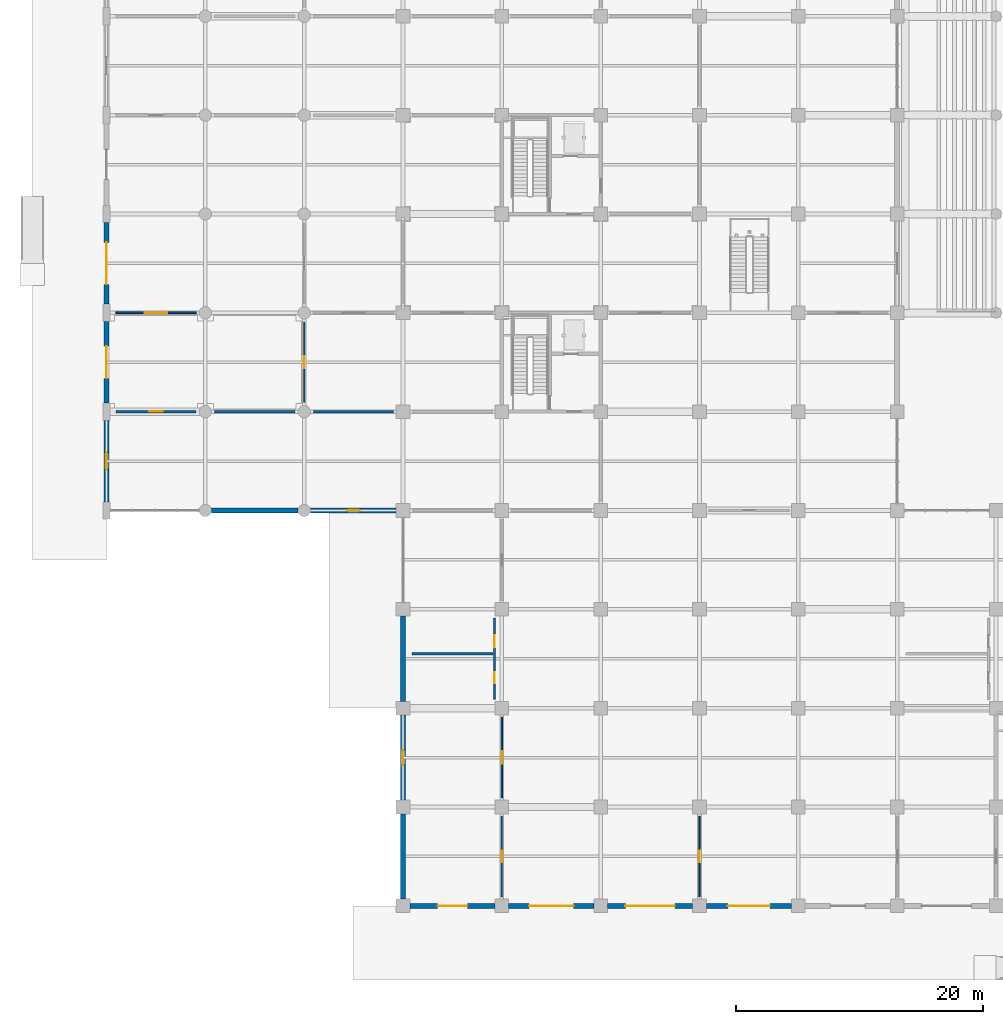
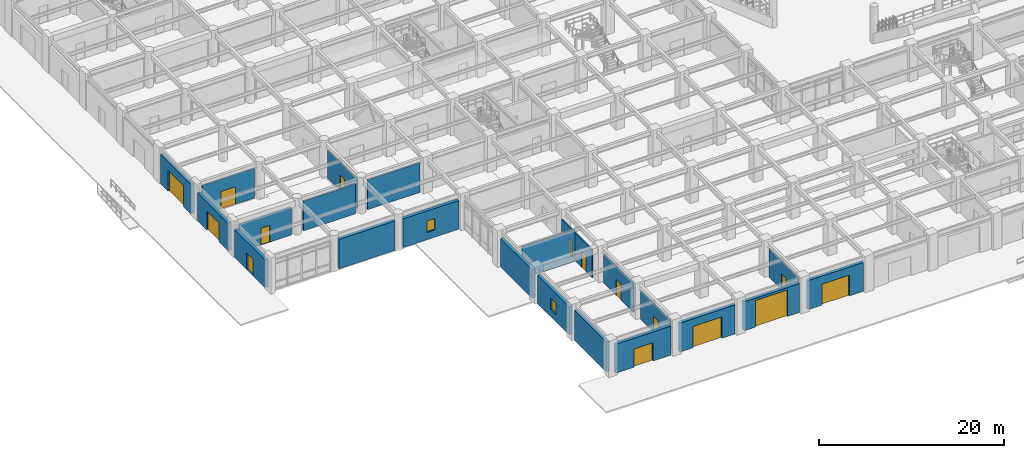
# One storey, part 73 of 125: 22 walls, 15 doors, 2 windows, 17 openings.
"""IFC4 building model written with IfcOpenShell, lengths in metres."""

import ifcopenshell
import ifcopenshell.guid

model = None  # the IFC model being written
_history = None  # IfcOwnerHistory: only IFC2X3 demands one
_inside = {}  # id of a spatial element -> (the spatial element, [elements in it])
_under = {}  # id of a project, library or spatial element -> (it, [spatial elements below it])
_declared = {}  # id of a project -> (the project, [libraries it declares])
_typed = {}  # id of a type object -> (the type object, [elements of that type])
_made_of = {}  # id of a material, layer set ... -> (it, [elements and type objects made of it])


def new_model(schema):
    """Start an empty IFC model of exactly this schema.

    Asked for "IFC4X3", IfcOpenShell would pick the latest addendum, in which some entities
    have other attributes; the version numbers below select the first issue.
    IFC2X3 requires an IfcOwnerHistory on every rooted entity: one is made here for all.
    """
    global model, _history
    if schema == "IFC4X3":
        model = ifcopenshell.file(schema_version=(4, 3, 0, 0))
    else:
        model = ifcopenshell.file(schema=schema)
    _inside.clear()
    _under.clear()
    _declared.clear()
    _typed.clear()
    _made_of.clear()
    _history = None
    if model.schema == "IFC2X3":
        org = make("IfcOrganization", Name="unknown")
        user = make(
            "IfcPersonAndOrganization",
            ThePerson=make("IfcPerson", FamilyName="unknown"),
            TheOrganization=org,
        )
        app = make(
            "IfcApplication",
            ApplicationDeveloper=org,
            Version="unknown",
            ApplicationFullName="unknown",
            ApplicationIdentifier="unknown",
        )
        _history = make(
            "IfcOwnerHistory",
            OwningUser=user,
            OwningApplication=app,
            ChangeAction="ADDED",
            CreationDate=0,
        )
    return model


def make(cls, **values):
    """One entity of the class cls with the attributes given. An attribute that is None is left unset."""
    return model.create_entity(
        cls, **{name: value for name, value in values.items() if value is not None}
    )


def rooted(cls, **values):
    """An entity with a GlobalId (a new one), such as an element, a storey or a relation."""
    return make(cls, GlobalId=ifcopenshell.guid.new(), OwnerHistory=_history, **values)


def si_unit(unit_type, name, prefix=None):
    """IfcSIUnit, for example si_unit("LENGTHUNIT", "METRE", prefix="MILLI")."""
    return make("IfcSIUnit", UnitType=unit_type, Prefix=prefix, Name=name)


def assignment(units):
    """IfcUnitAssignment: the units of a project."""
    return None if units is None else make("IfcUnitAssignment", Units=units)


def point(xyz):
    """IfcCartesianPoint."""
    return None if xyz is None else make("IfcCartesianPoint", Coordinates=xyz)


def direction(xyz):
    """IfcDirection."""
    return None if xyz is None else make("IfcDirection", DirectionRatios=xyz)


def frame(location, z_axis=None, x_axis=None):
    """IfcAxis2Placement3D, a coordinate frame: its origin and axes. An axis left out is left unset."""
    return make(
        "IfcAxis2Placement3D",
        Location=point(location),
        Axis=direction(z_axis),
        RefDirection=direction(x_axis),
    )


def frame_2d(location, x_axis=None):
    """IfcAxis2Placement2D, a coordinate frame in the plane: its origin and x axis."""
    return make(
        "IfcAxis2Placement2D", Location=point(location), RefDirection=direction(x_axis)
    )


def origin():
    """The frame at (0, 0, 0) with its axes left unset."""
    return frame((0.0, 0.0, 0.0))


def place(relative_to, where):
    """IfcLocalPlacement: puts the frame where relative to a parent placement (None: the world)."""
    return make(
        "IfcLocalPlacement", PlacementRelTo=relative_to, RelativePlacement=where
    )


def context(
    kind, dimensions, precision=None, world=None, true_north=None, identifier=None
):
    """IfcGeometricRepresentationContext, for example the 3D "Model" context."""
    return make(
        "IfcGeometricRepresentationContext",
        ContextIdentifier=identifier,
        ContextType=kind,
        CoordinateSpaceDimension=dimensions,
        Precision=precision,
        WorldCoordinateSystem=world,
        TrueNorth=true_north,
    )


def subcontext(parent, identifier, kind, view, scale=None):
    """IfcGeometricRepresentationSubContext, for example "Body" below "Model"."""
    return make(
        "IfcGeometricRepresentationSubContext",
        ContextIdentifier=identifier,
        ContextType=kind,
        ParentContext=parent,
        TargetScale=scale,
        TargetView=view,
    )


def project(units=None, contexts=None):
    """IfcProject with its units and contexts."""
    return rooted(
        "IfcProject",
        Name="project",
        RepresentationContexts=contexts,
        UnitsInContext=assignment(units),
    )


def spatial(cls, under=None, at=None, **own):
    """A site, building, storey or space (cls), placed at a placement, below another one or the project."""
    s = rooted(cls, ObjectPlacement=at, **own)
    if under is not None:
        _under.setdefault(under.id(), (under, []))[1].append(s)
    return s


def profile(cls, at=None, kind="AREA", **sizes):
    """A parametric profile (cls). Its sizes go by their IFC names, for example OverallWidth=200.0."""
    return make(cls, ProfileType=kind, Position=at, **sizes)


def rectangle(**sizes):
    """IfcRectangleProfileDef."""
    return profile("IfcRectangleProfileDef", **sizes)


def extrude(swept, where, along, depth):
    """IfcExtrudedAreaSolid: the profile swept, set in the frame where, extruded along a direction by depth."""
    return make(
        "IfcExtrudedAreaSolid",
        SweptArea=swept,
        Position=where,
        ExtrudedDirection=direction(along),
        Depth=depth,
    )


def shape(context_of_items, identifier, shape_type, items):
    """IfcShapeRepresentation: the items that make up one representation, for example the "Body"."""
    return make(
        "IfcShapeRepresentation",
        ContextOfItems=context_of_items,
        RepresentationIdentifier=identifier,
        RepresentationType=shape_type,
        Items=items,
    )


def material(Name=None, Category=None):
    """IfcMaterial."""
    return make("IfcMaterial", Name=Name, Category=Category)


def layer(
    of_material, thickness, ventilated=None, Name=None, Category=None, Priority=None
):
    """IfcMaterialLayer: one layer of a wall or slab, of a material (None: an air gap)."""
    return make(
        "IfcMaterialLayer",
        Material=of_material,
        LayerThickness=thickness,
        IsVentilated=ventilated,
        Name=Name,
        Category=Category,
        Priority=Priority,
    )


def layer_set(layers, Name=None):
    """IfcMaterialLayerSet."""
    return make("IfcMaterialLayerSet", MaterialLayers=layers, LayerSetName=Name)


def made_of(thing, what):
    """Note that an element or type object is made of a material, layer set ...; save() writes the relation."""
    if what is not None:
        _made_of.setdefault(what.id(), (what, []))[1].append(thing)
    return thing


def type_object(cls, material=None, **own):
    """A type object (cls), such as IfcWallType, which elements share."""
    return made_of(rooted(cls, **own), material)


def element(
    cls,
    number,
    at=None,
    inside=None,
    cuts=None,
    type_object=None,
    material=None,
    context=None,
    identifier="Body",
    shape_type=None,
    held_by="IfcProductDefinitionShape",
    body=None,
    shapes=None,
    **own,
):
    """One element of the class cls, such as IfcWall. Its Tag is "e" and its number.

    at: its placement. inside: the storey or other place that contains it. cuts: it is an
    opening in that element (IfcRelVoidsElement). A single representation is given by context,
    identifier, shape_type and body (its items); several are given by shapes. held_by: the class
    of the entity that holds the representations. save() writes the other relations.
    """
    e = rooted(cls, Tag="e%d" % number, ObjectPlacement=at, **own)
    if body is not None:
        shapes = [shape(context, identifier, shape_type, body)]
    if shapes is not None:
        e.Representation = make(held_by, Representations=shapes)
    if inside is not None:
        _inside.setdefault(inside.id(), (inside, []))[1].append(e)
    if cuts is not None:
        rooted(
            "IfcRelVoidsElement", RelatingBuildingElement=cuts, RelatedOpeningElement=e
        )
    if type_object is not None:
        _typed.setdefault(type_object.id(), (type_object, []))[1].append(e)
    return made_of(e, material)


def fill(opening, filler):
    """IfcRelFillsElement: the door or window that sits in an opening."""
    return rooted(
        "IfcRelFillsElement",
        RelatingOpeningElement=opening,
        RelatedBuildingElement=filler,
    )


def aggregate(whole, parts):
    """IfcRelAggregates: a whole, such as a stair, and the parts it consists of."""
    return rooted("IfcRelAggregates", RelatingObject=whole, RelatedObjects=parts)


def save(model, path):
    """Write the relations noted so far, then the file.

    IfcRelAggregates (storeys below a building ...), IfcRelContainedInSpatialStructure (elements
    in a storey), IfcRelDefinesByType, IfcRelAssociatesMaterial and IfcRelDeclares: one each for
    every whole, place, type object, material and project.
    """
    for whole, parts in _under.values():
        aggregate(whole, parts)
    for where, things in _inside.values():
        rooted(
            "IfcRelContainedInSpatialStructure",
            RelatedElements=things,
            RelatingStructure=where,
        )
    for kind, things in _typed.values():
        rooted("IfcRelDefinesByType", RelatedObjects=things, RelatingType=kind)
    for what, things in _made_of.values():
        rooted("IfcRelAssociatesMaterial", RelatedObjects=things, RelatingMaterial=what)
    for by, libraries in _declared.values():
        rooted("IfcRelDeclares", RelatingContext=by, RelatedDefinitions=libraries)
    model.write(path)


model = new_model("IFC4")

# Units and contexts
model_context = context("Model", 3, precision=1e-05, world=origin(), true_north=direction((0.0, 1.0)))
body_context = subcontext(model_context, "Body", "Model", "MODEL_VIEW")
ifc_project = project(units=[si_unit("LENGTHUNIT", "METRE"), si_unit("AREAUNIT", "SQUARE_METRE"), si_unit("VOLUMEUNIT", "CUBIC_METRE"), si_unit("PLANEANGLEUNIT", "RADIAN"), si_unit("MASSUNIT", "GRAM", prefix="KILO")], contexts=[model_context])

# Site, building, storey
site_placement = place(None, origin())
site = spatial("IfcSite", under=ifc_project, at=site_placement, CompositionType="ELEMENT")
building_placement = place(site_placement, origin())
building = spatial("IfcBuilding", under=site, at=building_placement, Name="Haebicheon Civic Stadium", CompositionType="ELEMENT")
storey_placement = place(building_placement, origin())
storey = spatial("IfcBuildingStorey", under=building, at=storey_placement, Name="L01", CompositionType="ELEMENT", Elevation=0.0)

# Wall, opening, door
ifc_material_1 = material(Name="Concrete C40/50", Category="concrete")
ifc_layer_1 = layer(ifc_material_1, 0.39990234375, Name="Concrete C40/50")
ifc_layer_set_1 = layer_set([ifc_layer_1], Name="Concrete C40/50")
wall_type_1 = type_object("IfcWallType", Name="EW-BM-400", PredefinedType="SOLIDWALL", material=ifc_layer_set_1)
wall_1_placement = place(storey_placement, frame((0.0, 32.699951171875, 0.0), z_axis=(0.0, 0.0, 1.0), x_axis=(0.0, 1.0, 0.0)))
wall_1 = element("IfcWall", 1, at=wall_1_placement, inside=storey, type_object=wall_type_1, material=ifc_layer_set_1, Name="L01 board-marked concrete facade wall 00-04-W", PredefinedType="SOLIDWALL", context=body_context, shape_type="SweptSolid", body=[
    extrude(rectangle(XDim=6.60009765625, YDim=0.39990234375, at=frame_2d((3.300048828125, 0.0))), origin(), (0.0, 0.0, 1.0), 3.659912109375),
])
opening_1_placement = place(wall_1_placement, frame((2.60009765625, 0.0, 0.0)))
opening_1 = element("IfcOpeningElement", 2, at=opening_1_placement, cuts=wall_1, Name="Opening DX01", PredefinedType="OPENING", context=body_context, shape_type="SweptSolid", body=[
    extrude(rectangle(XDim=1.39990234375, YDim=2.199951171875, at=frame_2d((0.699951171875, 1.10009765625))), frame((0.0, 0.2099609375, 0.0), z_axis=(0.0, -1.0, 0.0), x_axis=(1.0, 0.0, 0.0)), (0.0, 0.0, 1.0), 0.419921875),
])
ifc_material_2 = material(Name="Galvanised painted steel SM355", Category="steel")
door_type_1 = type_object("IfcDoorType", Name="ED-EXIT-1400", OperationType="NOTDEFINED", PredefinedType="DOOR", material=ifc_material_2)
door_1_placement = place(opening_1_placement, origin())
door_1 = element("IfcDoor", 3, at=door_1_placement, inside=storey, type_object=door_type_1, material=ifc_material_2, Name="Protected exit passage final exit door DX01", OperationType="SINGLE_SWING_LEFT", OverallHeight=2.199951171875, OverallWidth=1.39990234375, PredefinedType="DOOR", context=body_context, shape_type="SweptSolid", body=[
    extrude(rectangle(XDim=1.39990234375, YDim=2.199951171875, at=frame_2d((0.699951171875, 1.10009765625))), frame((0.0, 0.02490234375, 0.0), z_axis=(0.0, -1.0, 0.0), x_axis=(1.0, 0.0, 0.0)), (0.0, 0.0, 1.0), 0.050048828125),
])
fill(opening_1, door_1)

wall_2_placement = place(storey_placement, frame((0.0, 40.699951171875, 0.0), z_axis=(0.0, 0.0, 1.0), x_axis=(0.0, 1.0, 0.0)))
wall_2 = element("IfcWall", 4, at=wall_2_placement, inside=storey, type_object=wall_type_1, material=ifc_layer_set_1, Name="L01 board-marked concrete facade wall 00-05-W", PredefinedType="SOLIDWALL", context=body_context, shape_type="SweptSolid", body=[
    extrude(rectangle(XDim=6.60009765625, YDim=0.39990234375, at=frame_2d((3.300048828125, 0.0))), origin(), (0.0, 0.0, 1.0), 3.659912109375),
])
opening_2_placement = place(wall_2_placement, frame((2.0, 0.0, 0.0)))
opening_2 = element("IfcOpeningElement", 5, at=opening_2_placement, cuts=wall_2, Name="Opening G01", PredefinedType="OPENING", context=body_context, shape_type="SweptSolid", body=[
    extrude(rectangle(XDim=2.60009765625, YDim=2.5, at=frame_2d((1.300048828125, 1.25))), frame((0.0, 0.2099609375, 0.0), z_axis=(0.0, -1.0, 0.0), x_axis=(1.0, 0.0, 0.0)), (0.0, 0.0, 1.0), 0.419921875),
])
ifc_material_3 = material(Name="Anodised aluminium 6063-T6", Category="aluminium")
door_type_2 = type_object("IfcDoorType", Name="ED-GATE-2600", OperationType="NOTDEFINED", PredefinedType="DOOR", material=ifc_material_3)
door_2_placement = place(opening_2_placement, origin())
door_2 = element("IfcDoor", 6, at=door_2_placement, inside=storey, type_object=door_type_2, material=ifc_material_3, Name="Pedestrian exit gate G1", OperationType="DOUBLE_SWING_LEFT", OverallHeight=2.5, OverallWidth=2.60009765625, PredefinedType="DOOR", context=body_context, shape_type="SweptSolid", body=[
    extrude(rectangle(XDim=2.60009765625, YDim=2.5, at=frame_2d((1.300048828125, 1.25))), frame((0.0, 0.02490234375, 0.0), z_axis=(0.0, -1.0, 0.0), x_axis=(1.0, 0.0, 0.0)), (0.0, 0.0, 1.0), 0.050048828125),
])
fill(opening_2, door_2)

wall_3_placement = place(storey_placement, frame((0.0, 48.699951171875, 0.0), z_axis=(0.0, 0.0, 1.0), x_axis=(0.0, 1.0, 0.0)))
wall_3 = element("IfcWall", 7, at=wall_3_placement, inside=storey, type_object=wall_type_1, material=ifc_layer_set_1, Name="L01 board-marked concrete facade wall 00-06-W", PredefinedType="SOLIDWALL", context=body_context, shape_type="SweptSolid", body=[
    extrude(rectangle(XDim=6.60009765625, YDim=0.39990234375, at=frame_2d((3.300048828125, 0.0))), origin(), (0.0, 0.0, 1.0), 3.909912109375),
])
opening_3_placement = place(wall_3_placement, frame((1.60009765625, 0.0, 0.0)))
opening_3 = element("IfcOpeningElement", 8, at=opening_3_placement, cuts=wall_3, Name="Opening E01", PredefinedType="OPENING", context=body_context, shape_type="SweptSolid", body=[
    extrude(rectangle(XDim=3.39990234375, YDim=2.75, at=frame_2d((1.699951171875, 1.375))), frame((0.0, 0.2099609375, 0.0), z_axis=(0.0, -1.0, 0.0), x_axis=(1.0, 0.0, 0.0)), (0.0, 0.0, 1.0), 0.419921875),
])
ifc_material_4 = material(Name="Anodised aluminium and laminated glass", Category="aluminium")
door_type_3 = type_object("IfcDoorType", Name="ED-MAIN-3400", OperationType="NOTDEFINED", PredefinedType="DOOR", material=ifc_material_4)
door_3_placement = place(opening_3_placement, origin())
door_3 = element("IfcDoor", 9, at=door_3_placement, inside=storey, type_object=door_type_3, material=ifc_material_4, Name="Main entrance E1", OperationType="DOUBLE_SWING_LEFT", OverallHeight=2.75, OverallWidth=3.39990234375, PredefinedType="DOOR", context=body_context, shape_type="SweptSolid", body=[
    extrude(rectangle(XDim=3.39990234375, YDim=2.75, at=frame_2d((1.699951171875, 1.375))), frame((0.0, 0.02490234375, 0.0), z_axis=(0.0, -1.0, 0.0), x_axis=(1.0, 0.0, 0.0)), (0.0, 0.0, 1.0), 0.050048828125),
])
fill(opening_3, door_3)

# Wall
wall_4_placement = place(storey_placement, frame((8.5, 32.0, 0.0), z_axis=(0.0, 0.0, 1.0), x_axis=(1.0, 0.0, 0.0)))
element("IfcWall", 10, at=wall_4_placement, inside=storey, type_object=wall_type_1, material=ifc_layer_set_1, Name="L01 board-marked concrete facade wall 01-04-S", PredefinedType="SOLIDWALL", context=body_context, shape_type="SweptSolid", body=[
    extrude(rectangle(XDim=7.0, YDim=0.39990234375, at=frame_2d((3.5, 0.0))), origin(), (0.0, 0.0, 1.0), 3.8701171875),
])

# Wall, opening, window
wall_5_placement = place(storey_placement, frame((16.5, 32.0, 0.0), z_axis=(0.0, 0.0, 1.0), x_axis=(1.0, 0.0, 0.0)))
wall_5 = element("IfcWall", 11, at=wall_5_placement, inside=storey, type_object=wall_type_1, material=ifc_layer_set_1, Name="L01 board-marked concrete facade wall 02-04-S", PredefinedType="SOLIDWALL", context=body_context, shape_type="SweptSolid", body=[
    extrude(rectangle(XDim=6.949951171875, YDim=0.39990234375, at=frame_2d((3.47509765625, 0.0))), origin(), (0.0, 0.0, 1.0), 3.77001953125),
])
opening_4_placement = place(wall_5_placement, frame((2.949951171875, 0.0, 0.949951171875)))
opening_4 = element("IfcOpeningElement", 12, at=opening_4_placement, cuts=wall_5, Name="Opening WIN-105x150", PredefinedType="OPENING", context=body_context, shape_type="SweptSolid", body=[
    extrude(rectangle(XDim=1.050048828125, YDim=1.5, at=frame_2d((0.52490234375, 0.75))), frame((0.0, 0.2099609375, 0.0), z_axis=(0.0, -1.0, 0.0), x_axis=(1.0, 0.0, 0.0)), (0.0, 0.0, 1.0), 0.419921875),
])
ifc_material_5 = material(Name="Anodised aluminium and laminated glass", Category="aluminium")
window_type_1 = type_object("IfcWindowType", Name="WIN-105x150", PartitioningType="SINGLE_PANEL", PredefinedType="WINDOW", material=ifc_material_5)
window_1_placement = place(opening_4_placement, origin())
window_1 = element("IfcWindow", 13, at=window_1_placement, inside=storey, type_object=window_type_1, material=ifc_material_5, Name="L01 facade window 002", OverallHeight=1.5, OverallWidth=1.050048828125, PartitioningType="SINGLE_PANEL", PredefinedType="WINDOW", context=body_context, shape_type="SweptSolid", body=[
    extrude(rectangle(XDim=1.050048828125, YDim=1.5, at=frame_2d((0.52490234375, 0.75))), frame((0.0, 0.030029296875, 0.0), z_axis=(0.0, -1.0, 0.0), x_axis=(1.0, 0.0, 0.0)), (0.0, 0.0, 1.0), 0.06005859375),
])
fill(opening_4, window_1)

# Wall, opening, door
wall_6_placement = place(storey_placement, frame((24.550048828125, 0.0, 0.0), z_axis=(0.0, 0.0, 1.0), x_axis=(1.0, 0.0, 0.0)))
wall_6 = element("IfcWall", 14, at=wall_6_placement, inside=storey, type_object=wall_type_1, material=ifc_layer_set_1, Name="L01 board-marked concrete facade wall 03-00-S", PredefinedType="SOLIDWALL", context=body_context, shape_type="SweptSolid", body=[
    extrude(rectangle(XDim=6.89990234375, YDim=0.39990234375, at=frame_2d((3.449951171875, 0.0))), origin(), (0.0, 0.0, 1.0), 3.81005859375),
])
opening_5_placement = place(wall_6_placement, frame((2.25, 0.0, 0.0)))
opening_5 = element("IfcOpeningElement", 15, at=opening_5_placement, cuts=wall_6, Name="Opening G05", PredefinedType="OPENING", context=body_context, shape_type="SweptSolid", body=[
    extrude(rectangle(XDim=2.39990234375, YDim=2.39990234375, at=frame_2d((1.199951171875, 1.199951171875))), frame((0.0, 0.2099609375, 0.0), z_axis=(0.0, -1.0, 0.0), x_axis=(1.0, 0.0, 0.0)), (0.0, 0.0, 1.0), 0.419921875),
])
ifc_material_6 = material(Name="Anodised aluminium 6063-T6", Category="aluminium")
door_type_4 = type_object("IfcDoorType", Name="ED-GATE-2400", OperationType="NOTDEFINED", PredefinedType="DOOR", material=ifc_material_6)
door_4_placement = place(opening_5_placement, origin())
door_4 = element("IfcDoor", 16, at=door_4_placement, inside=storey, type_object=door_type_4, material=ifc_material_6, Name="Pedestrian exit gate G5", OperationType="DOUBLE_SWING_LEFT", OverallHeight=2.39990234375, OverallWidth=2.39990234375, PredefinedType="DOOR", context=body_context, shape_type="SweptSolid", body=[
    extrude(rectangle(XDim=2.39990234375, YDim=2.39990234375, at=frame_2d((1.199951171875, 1.199951171875))), frame((0.0, 0.02490234375, 0.0), z_axis=(0.0, -1.0, 0.0), x_axis=(1.0, 0.0, 0.0)), (0.0, 0.0, 1.0), 0.050048828125),
])
fill(opening_5, door_4)

# Wall
wall_7_placement = place(storey_placement, frame((24.0, 0.550048828125, 0.0), z_axis=(0.0, 0.0, 1.0), x_axis=(0.0, 1.0, 0.0)))
element("IfcWall", 17, at=wall_7_placement, inside=storey, type_object=wall_type_1, material=ifc_layer_set_1, Name="L01 board-marked concrete facade wall 03-00-W", PredefinedType="SOLIDWALL", context=body_context, shape_type="SweptSolid", body=[
    extrude(rectangle(XDim=6.89990234375, YDim=0.39990234375, at=frame_2d((3.449951171875, 0.0))), origin(), (0.0, 0.0, 1.0), 3.949951171875),
])

# Wall, opening, window
wall_8_placement = place(storey_placement, frame((24.0, 8.550048828125, 0.0), z_axis=(0.0, 0.0, 1.0), x_axis=(0.0, 1.0, 0.0)))
wall_8 = element("IfcWall", 18, at=wall_8_placement, inside=storey, type_object=wall_type_1, material=ifc_layer_set_1, Name="L01 board-marked concrete facade wall 03-01-W", PredefinedType="SOLIDWALL", context=body_context, shape_type="SweptSolid", body=[
    extrude(rectangle(XDim=6.89990234375, YDim=0.39990234375, at=frame_2d((3.449951171875, 0.0))), origin(), (0.0, 0.0, 1.0), 3.719970703125),
])
opening_6_placement = place(wall_8_placement, frame((2.85009765625, 0.0, 0.949951171875)))
opening_6 = element("IfcOpeningElement", 19, at=opening_6_placement, cuts=wall_8, Name="Opening WIN-120x150", PredefinedType="OPENING", context=body_context, shape_type="SweptSolid", body=[
    extrude(rectangle(XDim=1.199951171875, YDim=1.5, at=frame_2d((0.60009765625, 0.75))), frame((0.0, 0.2099609375, 0.0), z_axis=(0.0, -1.0, 0.0), x_axis=(1.0, 0.0, 0.0)), (0.0, 0.0, 1.0), 0.419921875),
])
ifc_material_7 = material(Name="Anodised aluminium and laminated glass", Category="aluminium")
window_type_2 = type_object("IfcWindowType", Name="WIN-120x150", PartitioningType="SINGLE_PANEL", PredefinedType="WINDOW", material=ifc_material_7)
window_2_placement = place(opening_6_placement, origin())
window_2 = element("IfcWindow", 20, at=window_2_placement, inside=storey, type_object=window_type_2, material=ifc_material_7, Name="L01 facade window 003", OverallHeight=1.5, OverallWidth=1.199951171875, PartitioningType="SINGLE_PANEL", PredefinedType="WINDOW", context=body_context, shape_type="SweptSolid", body=[
    extrude(rectangle(XDim=1.199951171875, YDim=1.5, at=frame_2d((0.60009765625, 0.75))), frame((0.0, 0.030029296875, 0.0), z_axis=(0.0, -1.0, 0.0), x_axis=(1.0, 0.0, 0.0)), (0.0, 0.0, 1.0), 0.06005859375),
])
fill(opening_6, window_2)

# Wall
wall_9_placement = place(storey_placement, frame((24.0, 16.550048828125, 0.0), z_axis=(0.0, 0.0, 1.0), x_axis=(0.0, 1.0, 0.0)))
element("IfcWall", 21, at=wall_9_placement, inside=storey, type_object=wall_type_1, material=ifc_layer_set_1, Name="L01 board-marked concrete facade wall 03-02-W", PredefinedType="SOLIDWALL", context=body_context, shape_type="SweptSolid", body=[
    extrude(rectangle(XDim=6.89990234375, YDim=0.39990234375, at=frame_2d((3.449951171875, 0.0))), origin(), (0.0, 0.0, 1.0), 3.719970703125),
])

# Wall, opening, door
wall_10_placement = place(storey_placement, frame((32.550048828125, 0.0, 0.0), z_axis=(0.0, 0.0, 1.0), x_axis=(1.0, 0.0, 0.0)))
wall_10 = element("IfcWall", 22, at=wall_10_placement, inside=storey, type_object=wall_type_1, material=ifc_layer_set_1, Name="L01 board-marked concrete facade wall 04-00-S", PredefinedType="SOLIDWALL", context=body_context, shape_type="SweptSolid", body=[
    extrude(rectangle(XDim=6.89990234375, YDim=0.39990234375, at=frame_2d((3.449951171875, 0.0))), origin(), (0.0, 0.0, 1.0), 3.81005859375),
])
opening_7_placement = place(wall_10_placement, frame((1.64990234375, 0.0, 0.0)))
opening_7 = element("IfcOpeningElement", 23, at=opening_7_placement, cuts=wall_10, Name="Opening E06", PredefinedType="OPENING", context=body_context, shape_type="SweptSolid", body=[
    extrude(rectangle(XDim=3.60009765625, YDim=2.800048828125, at=frame_2d((1.800048828125, 1.39990234375))), frame((0.0, 0.2099609375, 0.0), z_axis=(0.0, -1.0, 0.0), x_axis=(1.0, 0.0, 0.0)), (0.0, 0.0, 1.0), 0.419921875),
])
ifc_material_8 = material(Name="Anodised aluminium and laminated glass", Category="aluminium")
door_type_5 = type_object("IfcDoorType", Name="ED-MAIN-3600", OperationType="NOTDEFINED", PredefinedType="DOOR", material=ifc_material_8)
door_5_placement = place(opening_7_placement, origin())
door_5 = element("IfcDoor", 24, at=door_5_placement, inside=storey, type_object=door_type_5, material=ifc_material_8, Name="Main entrance E6", OperationType="DOUBLE_SWING_LEFT", OverallHeight=2.800048828125, OverallWidth=3.60009765625, PredefinedType="DOOR", context=body_context, shape_type="SweptSolid", body=[
    extrude(rectangle(XDim=3.60009765625, YDim=2.800048828125, at=frame_2d((1.800048828125, 1.39990234375))), frame((0.0, 0.02490234375, 0.0), z_axis=(0.0, -1.0, 0.0), x_axis=(1.0, 0.0, 0.0)), (0.0, 0.0, 1.0), 0.050048828125),
])
fill(opening_7, door_5)

wall_11_placement = place(storey_placement, frame((40.550048828125, 0.0, 0.0), z_axis=(0.0, 0.0, 1.0), x_axis=(1.0, 0.0, 0.0)))
wall_11 = element("IfcWall", 25, at=wall_11_placement, inside=storey, type_object=wall_type_1, material=ifc_layer_set_1, Name="L01 board-marked concrete facade wall 05-00-S", PredefinedType="SOLIDWALL", context=body_context, shape_type="SweptSolid", body=[
    extrude(rectangle(XDim=6.89990234375, YDim=0.39990234375, at=frame_2d((3.449951171875, 0.0))), origin(), (0.0, 0.0, 1.0), 3.81005859375),
])
opening_8_placement = place(wall_11_placement, frame((1.449951171875, 0.0, 0.0)))
opening_8 = element("IfcOpeningElement", 26, at=opening_8_placement, cuts=wall_11, Name="Opening DS01", PredefinedType="OPENING", context=body_context, shape_type="SweptSolid", body=[
    extrude(rectangle(XDim=4.0, YDim=3.5, at=frame_2d((2.0, 1.75))), frame((0.0, 0.2099609375, 0.0), z_axis=(0.0, -1.0, 0.0), x_axis=(1.0, 0.0, 0.0)), (0.0, 0.0, 1.0), 0.419921875),
])
ifc_material_9 = material(Name="Galvanised painted steel SM355", Category="steel")
door_type_6 = type_object("IfcDoorType", Name="ED-DOCK-4000", OperationType="NOTDEFINED", PredefinedType="GATE", material=ifc_material_9)
door_6_placement = place(opening_8_placement, origin())
door_6 = element("IfcDoor", 27, at=door_6_placement, inside=storey, type_object=door_type_6, material=ifc_material_9, Name="Loading dock roller shutter DS1", OperationType="ROLLINGUP", OverallHeight=3.5, OverallWidth=4.0, PredefinedType="GATE", context=body_context, shape_type="SweptSolid", body=[
    extrude(rectangle(XDim=4.0, YDim=3.5, at=frame_2d((2.0, 1.75))), frame((0.0, 0.02490234375, 0.0), z_axis=(0.0, -1.0, 0.0), x_axis=(1.0, 0.0, 0.0)), (0.0, 0.0, 1.0), 0.050048828125),
])
fill(opening_8, door_6)

wall_12_placement = place(storey_placement, frame((48.550048828125, 0.0, 0.0), z_axis=(0.0, 0.0, 1.0), x_axis=(1.0, 0.0, 0.0)))
wall_12 = element("IfcWall", 28, at=wall_12_placement, inside=storey, type_object=wall_type_1, material=ifc_layer_set_1, Name="L01 board-marked concrete facade wall 06-00-S", PredefinedType="SOLIDWALL", context=body_context, shape_type="SweptSolid", body=[
    extrude(rectangle(XDim=6.89990234375, YDim=0.39990234375, at=frame_2d((3.449951171875, 0.0))), origin(), (0.0, 0.0, 1.0), 3.81005859375),
])
opening_9_placement = place(wall_12_placement, frame((1.75, 0.0, 0.0)))
opening_9 = element("IfcOpeningElement", 29, at=opening_9_placement, cuts=wall_12, Name="Opening E07", PredefinedType="OPENING", context=body_context, shape_type="SweptSolid", body=[
    extrude(rectangle(XDim=3.39990234375, YDim=2.75, at=frame_2d((1.699951171875, 1.375))), frame((0.0, 0.2099609375, 0.0), z_axis=(0.0, -1.0, 0.0), x_axis=(1.0, 0.0, 0.0)), (0.0, 0.0, 1.0), 0.419921875),
])
door_7_placement = place(opening_9_placement, origin())
door_7 = element("IfcDoor", 30, at=door_7_placement, inside=storey, type_object=door_type_3, material=ifc_material_4, Name="Main entrance E7", OperationType="DOUBLE_SWING_LEFT", OverallHeight=2.75, OverallWidth=3.39990234375, PredefinedType="DOOR", context=body_context, shape_type="SweptSolid", body=[
    extrude(rectangle(XDim=3.39990234375, YDim=2.75, at=frame_2d((1.699951171875, 1.375))), frame((0.0, 0.02490234375, 0.0), z_axis=(0.0, -1.0, 0.0), x_axis=(1.0, 0.0, 0.0)), (0.0, 0.0, 1.0), 0.050048828125),
])
fill(opening_9, door_7)

ifc_material_10 = material(Name="Concrete C35/45", Category="concrete")
ifc_layer_2 = layer(ifc_material_10, 0.199951171875, Name="Concrete C35/45")
ifc_layer_set_2 = layer_set([ifc_layer_2], Name="Concrete C35/45")
wall_type_2 = type_object("IfcWallType", Name="IW-FIR-200", PredefinedType="PARTITIONING", material=ifc_layer_set_2)
wall_13_placement = place(storey_placement, frame((0.75, 40.0, 0.0), z_axis=(0.0, 0.0, 1.0), x_axis=(1.0, 0.0, 0.0)))
wall_13 = element("IfcWall", 31, at=wall_13_placement, inside=storey, type_object=wall_type_2, material=ifc_layer_set_2, Name="L01 KC-01 protected exit passage EI 120 wall 01", PredefinedType="PARTITIONING", context=body_context, shape_type="SweptSolid", body=[
    extrude(rectangle(XDim=6.5, YDim=0.199951171875, at=frame_2d((3.25, 0.0))), origin(), (0.0, 0.0, 1.0), 3.659912109375),
])
opening_10_placement = place(wall_13_placement, frame((2.699951171875, 0.0, 0.0)))
opening_10 = element("IfcOpeningElement", 32, at=opening_10_placement, cuts=wall_13, Name="Opening D-L01-PXP-01", PredefinedType="OPENING", context=body_context, shape_type="SweptSolid", body=[
    extrude(rectangle(XDim=1.10009765625, YDim=2.199951171875, at=frame_2d((0.550048828125, 1.10009765625))), frame((0.0, 0.10986328125, 0.0), z_axis=(0.0, -1.0, 0.0), x_axis=(1.0, 0.0, 0.0)), (0.0, 0.0, 1.0), 0.219970703125),
])
ifc_material_11 = material(Name="Galvanised painted steel SM355", Category="steel")
door_type_7 = type_object("IfcDoorType", Name="ID-FD-1100", OperationType="NOTDEFINED", PredefinedType="DOOR", material=ifc_material_11)
door_8_placement = place(opening_10_placement, origin())
door_8 = element("IfcDoor", 33, at=door_8_placement, inside=storey, type_object=door_type_7, material=ifc_material_11, Name="L01 KC-01 protected exit passage lobby fire door", OperationType="SINGLE_SWING_LEFT", OverallHeight=2.199951171875, OverallWidth=1.10009765625, PredefinedType="DOOR", context=body_context, shape_type="SweptSolid", body=[
    extrude(rectangle(XDim=1.10009765625, YDim=2.199951171875, at=frame_2d((0.550048828125, 1.10009765625))), frame((0.0, 0.02490234375, 0.0), z_axis=(0.0, -1.0, 0.0), x_axis=(1.0, 0.0, 0.0)), (0.0, 0.0, 1.0), 0.050048828125),
])
fill(opening_10, door_8)

# Walls
for number, where, z_axis, x_axis, name in (
    (34, (8.75, 40.0, 0.0), (0.0, 0.0, 1.0), (1.0, 0.0, 0.0), "L01 KC-01 protected exit passage EI 120 wall 02"),
    (35, (16.75, 40.0, 0.0), (0.0, 0.0, 1.0), (1.0, 0.0, 0.0), "L01 KC-01 protected exit passage EI 120 wall 03"),
):
    element("IfcWall", number, at=place(storey_placement, frame(where, z_axis=z_axis, x_axis=x_axis)), inside=storey, type_object=wall_type_2, material=ifc_layer_set_2, Name=name, PredefinedType="PARTITIONING", context=body_context, shape_type="SweptSolid", body=[
        extrude(rectangle(XDim=6.5, YDim=0.199951171875, at=frame_2d((3.25, 0.0))), origin(), (0.0, 0.0, 1.0), 3.909912109375),
    ])
ifc_material_12 = material(Name="Concrete C35/45", Category="concrete")
ifc_layer_3 = layer(ifc_material_12, 0.219970703125, Name="Concrete C35/45")
ifc_layer_set_3 = layer_set([ifc_layer_3], Name="Concrete C35/45")
wall_type_3 = type_object("IfcWallType", Name="IW-PLB-220", PredefinedType="PLUMBINGWALL", material=ifc_layer_set_3)
wall_14_placement = place(storey_placement, frame((24.719970703125, 20.39990234375, 0.0), z_axis=(0.0, 0.0, 1.0), x_axis=(1.0, 0.0, 0.0)))
element("IfcWall", 36, at=wall_14_placement, inside=storey, type_object=wall_type_3, material=ifc_layer_set_3, Name="L01 sanitary plumbing chase wall 04", PredefinedType="PLUMBINGWALL", context=body_context, shape_type="SweptSolid", body=[
    extrude(rectangle(XDim=6.56005859375, YDim=0.219970703125, at=frame_2d((3.280029296875, 0.0))), origin(), (0.0, 0.0, 1.0), 4.169921875),
])

# Wall, opening, door
ifc_material_13 = material(Name="Anodised aluminium and laminated glass", Category="aluminium")
ifc_layer_4 = layer(ifc_material_13, 0.10009765625, Name="Anodised aluminium and laminated glass")
ifc_layer_set_4 = layer_set([ifc_layer_4], Name="Anodised aluminium and laminated glass")
wall_type_4 = type_object("IfcWallType", Name="IW-PRT-100", PredefinedType="PARTITIONING", material=ifc_layer_set_4)
wall_15_placement = place(storey_placement, frame((16.0, 40.75, 0.0), z_axis=(0.0, 0.0, 1.0), x_axis=(0.0, 1.0, 0.0)))
wall_15 = element("IfcWall", 37, at=wall_15_placement, inside=storey, type_object=wall_type_4, material=ifc_layer_set_4, Name="L01 Supporters' Cafe partition wall", PredefinedType="PARTITIONING", context=body_context, shape_type="SweptSolid", body=[
    extrude(rectangle(XDim=6.5, YDim=0.10009765625, at=frame_2d((3.25, 0.0))), origin(), (0.0, 0.0, 1.0), 3.81005859375),
])
opening_11_placement = place(wall_15_placement, frame((2.77490234375, 0.0, 0.0)))
opening_11 = element("IfcOpeningElement", 38, at=opening_11_placement, cuts=wall_15, Name="Opening D-L01-173", PredefinedType="OPENING", context=body_context, shape_type="SweptSolid", body=[
    extrude(rectangle(XDim=0.949951171875, YDim=2.10009765625, at=frame_2d((0.47509765625, 1.050048828125))), frame((0.0, 0.06005859375, 0.0), z_axis=(0.0, -1.0, 0.0), x_axis=(1.0, 0.0, 0.0)), (0.0, 0.0, 1.0), 0.1201171875),
])
ifc_material_14 = material(Name="Engineered hardwood timber", Category="wood")
door_type_8 = type_object("IfcDoorType", Name="ID-RM-0950", OperationType="NOTDEFINED", PredefinedType="DOOR", material=ifc_material_14)
door_9_placement = place(opening_11_placement, origin())
door_9 = element("IfcDoor", 39, at=door_9_placement, inside=storey, type_object=door_type_8, material=ifc_material_14, Name="L01 Supporters' Cafe entrance door D-L01-173", OperationType="SINGLE_SWING_RIGHT", OverallHeight=2.10009765625, OverallWidth=0.949951171875, PredefinedType="DOOR", context=body_context, shape_type="SweptSolid", body=[
    extrude(rectangle(XDim=0.949951171875, YDim=2.10009765625, at=frame_2d((0.47509765625, 1.050048828125))), frame((0.0, 0.02490234375, 0.0), z_axis=(0.0, -1.0, 0.0), x_axis=(1.0, 0.0, 0.0)), (0.0, 0.0, 1.0), 0.050048828125),
])
fill(opening_11, door_9)

wall_16_placement = place(storey_placement, frame((32.0, 0.75, 0.0), z_axis=(0.0, 0.0, 1.0), x_axis=(0.0, 1.0, 0.0)))
wall_16 = element("IfcWall", 40, at=wall_16_placement, inside=storey, type_object=wall_type_4, material=ifc_layer_set_4, Name="L01 Outside Broadcast Compound partition wall", PredefinedType="PARTITIONING", context=body_context, shape_type="SweptSolid", body=[
    extrude(rectangle(XDim=6.5, YDim=0.10009765625, at=frame_2d((3.25, 0.0))), origin(), (0.0, 0.0, 1.0), 3.81005859375),
])
opening_12_placement = place(wall_16_placement, frame((2.77490234375, 0.0, 0.0)))
opening_12 = element("IfcOpeningElement", 41, at=opening_12_placement, cuts=wall_16, Name="Opening D-L01-179", PredefinedType="OPENING", context=body_context, shape_type="SweptSolid", body=[
    extrude(rectangle(XDim=0.949951171875, YDim=2.10009765625, at=frame_2d((0.47509765625, 1.050048828125))), frame((0.0, 0.06005859375, 0.0), z_axis=(0.0, -1.0, 0.0), x_axis=(1.0, 0.0, 0.0)), (0.0, 0.0, 1.0), 0.1201171875),
])
door_10_placement = place(opening_12_placement, origin())
door_10 = element("IfcDoor", 42, at=door_10_placement, inside=storey, type_object=door_type_8, material=ifc_material_14, Name="L01 Outside Broadcast Compound entrance door D-L01-179", OperationType="SINGLE_SWING_RIGHT", OverallHeight=2.10009765625, OverallWidth=0.949951171875, PredefinedType="DOOR", context=body_context, shape_type="SweptSolid", body=[
    extrude(rectangle(XDim=0.949951171875, YDim=2.10009765625, at=frame_2d((0.47509765625, 1.050048828125))), frame((0.0, 0.02490234375, 0.0), z_axis=(0.0, -1.0, 0.0), x_axis=(1.0, 0.0, 0.0)), (0.0, 0.0, 1.0), 0.050048828125),
])
fill(opening_12, door_10)

wall_17_placement = place(storey_placement, frame((48.0, 0.75, 0.0), z_axis=(0.0, 0.0, 1.0), x_axis=(0.0, 1.0, 0.0)))
wall_17 = element("IfcWall", 43, at=wall_17_placement, inside=storey, type_object=wall_type_4, material=ifc_layer_set_4, Name="L01 Turf Grow-Light Maintenance Bay partition wall", PredefinedType="PARTITIONING", context=body_context, shape_type="SweptSolid", body=[
    extrude(rectangle(XDim=6.5, YDim=0.10009765625, at=frame_2d((3.25, 0.0))), origin(), (0.0, 0.0, 1.0), 3.81005859375),
])
opening_13_placement = place(wall_17_placement, frame((2.77490234375, 0.0, 0.0)))
opening_13 = element("IfcOpeningElement", 44, at=opening_13_placement, cuts=wall_17, Name="Opening D-L01-181", PredefinedType="OPENING", context=body_context, shape_type="SweptSolid", body=[
    extrude(rectangle(XDim=0.949951171875, YDim=2.10009765625, at=frame_2d((0.47509765625, 1.050048828125))), frame((0.0, 0.06005859375, 0.0), z_axis=(0.0, -1.0, 0.0), x_axis=(1.0, 0.0, 0.0)), (0.0, 0.0, 1.0), 0.1201171875),
])
door_11_placement = place(opening_13_placement, origin())
door_11 = element("IfcDoor", 45, at=door_11_placement, inside=storey, type_object=door_type_8, material=ifc_material_14, Name="L01 Turf Grow-Light Maintenance Bay entrance door D-L01-181", OperationType="SINGLE_SWING_RIGHT", OverallHeight=2.10009765625, OverallWidth=0.949951171875, PredefinedType="DOOR", context=body_context, shape_type="SweptSolid", body=[
    extrude(rectangle(XDim=0.949951171875, YDim=2.10009765625, at=frame_2d((0.47509765625, 1.050048828125))), frame((0.0, 0.02490234375, 0.0), z_axis=(0.0, -1.0, 0.0), x_axis=(1.0, 0.0, 0.0)), (0.0, 0.0, 1.0), 0.050048828125),
])
fill(opening_13, door_11)

ifc_material_15 = material(Name="Gypsum plasterboard on steel studs", Category="gypsum")
ifc_layer_5 = layer(ifc_material_15, 0.1298828125, Name="Gypsum plasterboard on steel studs")
ifc_layer_set_5 = layer_set([ifc_layer_5], Name="Gypsum plasterboard on steel studs")
wall_type_5 = type_object("IfcWallType", Name="IW-PRT-130", PredefinedType="PARTITIONING", material=ifc_layer_set_5)
wall_18_placement = place(storey_placement, frame((32.0, 8.75, 0.0), z_axis=(0.0, 0.0, 1.0), x_axis=(0.0, 1.0, 0.0)))
wall_18 = element("IfcWall", 46, at=wall_18_placement, inside=storey, type_object=wall_type_5, material=ifc_layer_set_5, Name="L01 Loading Dock Marshalling Bay partition wall", PredefinedType="PARTITIONING", context=body_context, shape_type="SweptSolid", body=[
    extrude(rectangle(XDim=6.5, YDim=0.1298828125, at=frame_2d((3.25, 0.0))), origin(), (0.0, 0.0, 1.0), 3.81005859375),
])
opening_14_placement = place(wall_18_placement, frame((2.75, 0.0, 0.0)))
opening_14 = element("IfcOpeningElement", 47, at=opening_14_placement, cuts=wall_18, Name="Opening D-L01-180", PredefinedType="OPENING", context=body_context, shape_type="SweptSolid", body=[
    extrude(rectangle(XDim=1.0, YDim=2.10009765625, at=frame_2d((0.5, 1.050048828125))), frame((0.0, 0.074951171875, 0.0), z_axis=(0.0, -1.0, 0.0), x_axis=(1.0, 0.0, 0.0)), (0.0, 0.0, 1.0), 0.14990234375),
])
ifc_material_16 = material(Name="Engineered hardwood timber", Category="wood")
door_type_9 = type_object("IfcDoorType", Name="ID-RM-1000", OperationType="NOTDEFINED", PredefinedType="DOOR", material=ifc_material_16)
door_12_placement = place(opening_14_placement, origin())
door_12 = element("IfcDoor", 48, at=door_12_placement, inside=storey, type_object=door_type_9, material=ifc_material_16, Name="L01 Loading Dock Marshalling Bay entrance door D-L01-180", OperationType="SINGLE_SWING_LEFT", OverallHeight=2.10009765625, OverallWidth=1.0, PredefinedType="DOOR", context=body_context, shape_type="SweptSolid", body=[
    extrude(rectangle(XDim=1.0, YDim=2.10009765625, at=frame_2d((0.5, 1.050048828125))), frame((0.0, 0.02490234375, 0.0), z_axis=(0.0, -1.0, 0.0), x_axis=(1.0, 0.0, 0.0)), (0.0, 0.0, 1.0), 0.050048828125),
])
fill(opening_14, door_12)

# Wall, openings, doors
ifc_material_17 = material(Name="Gypsum plasterboard on steel studs", Category="gypsum")
ifc_layer_6 = layer(ifc_material_17, 0.14990234375, Name="Gypsum plasterboard on steel studs")
ifc_layer_set_6 = layer_set([ifc_layer_6], Name="Gypsum plasterboard on steel studs")
wall_type_6 = type_object("IfcWallType", Name="IW-PRT-150", PredefinedType="PARTITIONING", material=ifc_layer_set_6)
wall_19_placement = place(storey_placement, frame((31.39990234375, 16.719970703125, 0.0), z_axis=(0.0, 0.0, 1.0), x_axis=(0.0, 1.0, 0.0)))
wall_19 = element("IfcWall", 49, at=wall_19_placement, inside=storey, type_object=wall_type_6, material=ifc_layer_set_6, Name="L01 sanitary enclosure front wall 04", PredefinedType="PARTITIONING", context=body_context, shape_type="SweptSolid", body=[
    extrude(rectangle(XDim=6.56005859375, YDim=0.14990234375, at=frame_2d((3.280029296875, 0.0))), origin(), (0.0, 0.0, 1.0), 3.719970703125),
])
opening_15_placement = place(wall_19_placement, frame((1.300048828125, 0.0, 0.0)))
opening_15 = element("IfcOpeningElement", 50, at=opening_15_placement, cuts=wall_19, Name="Opening D-L01-WC-04A", PredefinedType="OPENING", context=body_context, shape_type="SweptSolid", body=[
    extrude(rectangle(XDim=0.89990234375, YDim=2.10009765625, at=frame_2d((0.449951171875, 1.050048828125))), frame((0.0, 0.0849609375, 0.0), z_axis=(0.0, -1.0, 0.0), x_axis=(1.0, 0.0, 0.0)), (0.0, 0.0, 1.0), 0.169921875),
])
opening_16_placement = place(wall_19_placement, frame((4.199951171875, 0.0, 0.0)))
opening_16 = element("IfcOpeningElement", 51, at=opening_16_placement, cuts=wall_19, Name="Opening D-L01-AWC-04B", PredefinedType="OPENING", context=body_context, shape_type="SweptSolid", body=[
    extrude(rectangle(XDim=1.0, YDim=2.14990234375, at=frame_2d((0.5, 1.074951171875))), frame((0.0, 0.0849609375, 0.0), z_axis=(0.0, -1.0, 0.0), x_axis=(1.0, 0.0, 0.0)), (0.0, 0.0, 1.0), 0.169921875),
])
ifc_material_18 = material(Name="Anodised aluminium 6063-T6", Category="aluminium")
door_type_10 = type_object("IfcDoorType", Name="ID-AWC-1000", OperationType="NOTDEFINED", PredefinedType="DOOR", material=ifc_material_18)
door_13_placement = place(opening_16_placement, origin())
door_13 = element("IfcDoor", 52, at=door_13_placement, inside=storey, type_object=door_type_10, material=ifc_material_18, Name="L01 accessible WC door 04", OperationType="SINGLE_SWING_RIGHT", OverallHeight=2.14990234375, OverallWidth=1.0, PredefinedType="DOOR", context=body_context, shape_type="SweptSolid", body=[
    extrude(rectangle(XDim=1.0, YDim=2.14990234375, at=frame_2d((0.5, 1.074951171875))), frame((0.0, 0.02490234375, 0.0), z_axis=(0.0, -1.0, 0.0), x_axis=(1.0, 0.0, 0.0)), (0.0, 0.0, 1.0), 0.050048828125),
])
fill(opening_16, door_13)
ifc_material_19 = material(Name="Anodised aluminium 6063-T6", Category="aluminium")
door_type_11 = type_object("IfcDoorType", Name="ID-WC-0900", OperationType="NOTDEFINED", PredefinedType="DOOR", material=ifc_material_19)
door_14_placement = place(opening_15_placement, origin())
door_14 = element("IfcDoor", 53, at=door_14_placement, inside=storey, type_object=door_type_11, material=ifc_material_19, Name="L01 public restroom door 04", OperationType="SINGLE_SWING_LEFT", OverallHeight=2.10009765625, OverallWidth=0.89990234375, PredefinedType="DOOR", context=body_context, shape_type="SweptSolid", body=[
    extrude(rectangle(XDim=0.89990234375, YDim=2.10009765625, at=frame_2d((0.449951171875, 1.050048828125))), frame((0.0, 0.02490234375, 0.0), z_axis=(0.0, -1.0, 0.0), x_axis=(1.0, 0.0, 0.0)), (0.0, 0.0, 1.0), 0.050048828125),
])
fill(opening_15, door_14)

# Wall, opening, door
wall_20_placement = place(storey_placement, frame((0.75, 48.0, 0.0), z_axis=(0.0, 0.0, 1.0), x_axis=(1.0, 0.0, 0.0)))
wall_20 = element("IfcWall", 54, at=wall_20_placement, inside=storey, type_object=wall_type_6, material=ifc_layer_set_6, Name="L01 Ticketing Hall partition wall", PredefinedType="PARTITIONING", context=body_context, shape_type="SweptSolid", body=[
    extrude(rectangle(XDim=6.5, YDim=0.14990234375, at=frame_2d((3.25, 0.0))), origin(), (0.0, 0.0, 1.0), 3.909912109375),
])
opening_17_placement = place(wall_20_placement, frame((2.35009765625, 0.0, 0.0)))
opening_17 = element("IfcOpeningElement", 55, at=opening_17_placement, cuts=wall_20, Name="Opening D-L01-167", PredefinedType="OPENING", context=body_context, shape_type="SweptSolid", body=[
    extrude(rectangle(XDim=1.800048828125, YDim=2.300048828125, at=frame_2d((0.89990234375, 1.14990234375))), frame((0.0, 0.0849609375, 0.0), z_axis=(0.0, -1.0, 0.0), x_axis=(1.0, 0.0, 0.0)), (0.0, 0.0, 1.0), 0.169921875),
])
ifc_material_20 = material(Name="Galvanised painted steel SM355", Category="steel")
door_type_12 = type_object("IfcDoorType", Name="ID-DBL-1800", OperationType="NOTDEFINED", PredefinedType="DOOR", material=ifc_material_20)
door_15_placement = place(opening_17_placement, origin())
door_15 = element("IfcDoor", 56, at=door_15_placement, inside=storey, type_object=door_type_12, material=ifc_material_20, Name="L01 Ticketing Hall entrance door D-L01-167", OperationType="DOUBLE_SWING_LEFT", OverallHeight=2.300048828125, OverallWidth=1.800048828125, PredefinedType="DOOR", context=body_context, shape_type="SweptSolid", body=[
    extrude(rectangle(XDim=1.800048828125, YDim=2.300048828125, at=frame_2d((0.89990234375, 1.14990234375))), frame((0.0, 0.02490234375, 0.0), z_axis=(0.0, -1.0, 0.0), x_axis=(1.0, 0.0, 0.0)), (0.0, 0.0, 1.0), 0.050048828125),
])
fill(opening_17, door_15)

save(model, "model.ifc")
